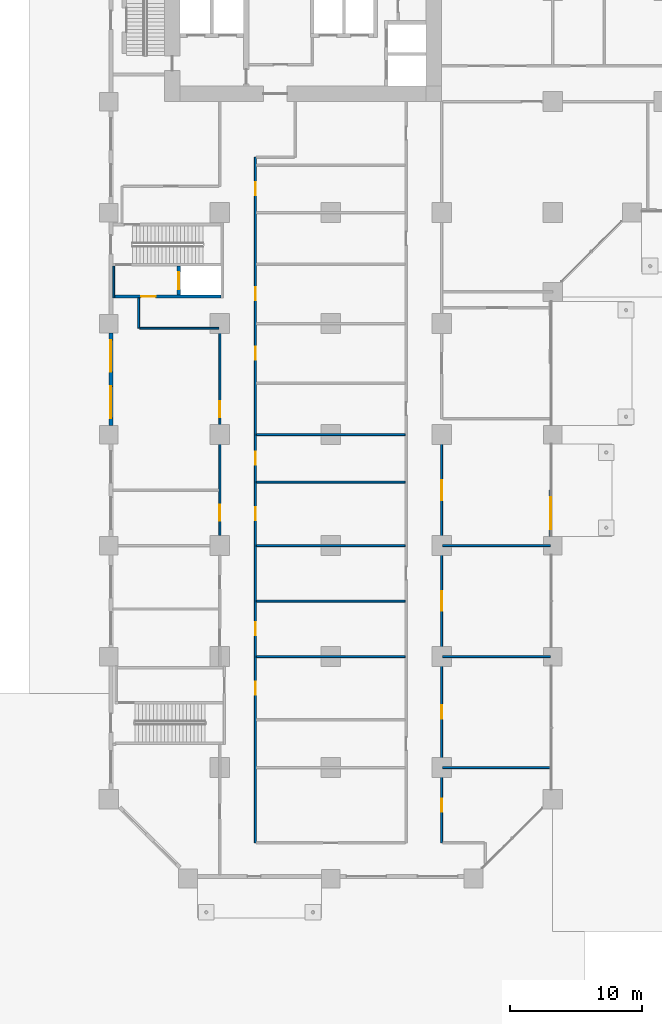
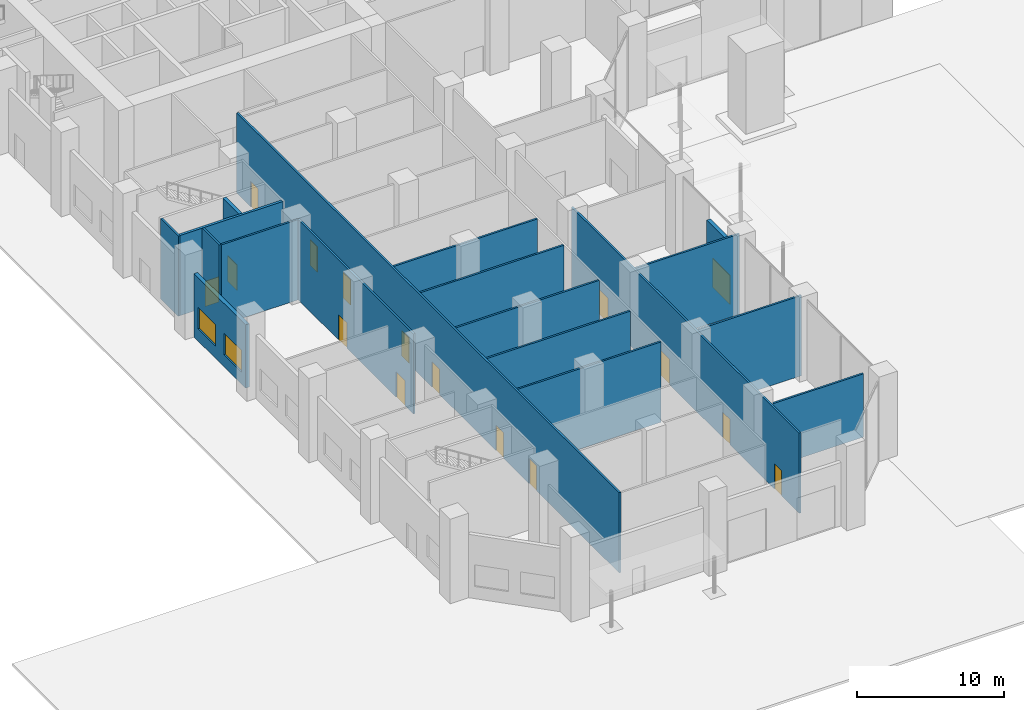
# One storey, part 15 of 32: 18 walls, 16 doors, 2 windows, 18 openings.
"""IFC4 building model written with IfcOpenShell, lengths in metres."""

from ifc_helpers import new_model, si_unit, direction, frame, frame_2d, origin, place, context, subcontext, project, spatial, rectangle, extrude, material, layer, layer_set, type_object, element, fill, save


model = new_model("IFC4")

# Units and contexts
model_context = context("Model", 3, precision=1e-05, world=origin(), true_north=direction((0.0, 1.0)))
body_context = subcontext(model_context, "Body", "Model", "MODEL_VIEW")
ifc_project = project(units=[si_unit("LENGTHUNIT", "METRE"), si_unit("AREAUNIT", "SQUARE_METRE"), si_unit("VOLUMEUNIT", "CUBIC_METRE"), si_unit("PLANEANGLEUNIT", "RADIAN"), si_unit("MASSUNIT", "GRAM", prefix="KILO")], contexts=[model_context])

# Site, building, storey
site_placement = place(None, origin())
site = spatial("IfcSite", under=ifc_project, at=site_placement, CompositionType="ELEMENT")
building_placement = place(site_placement, origin())
building = spatial("IfcBuilding", under=site, at=building_placement, Name="Kawkab Arch Medical Tower", CompositionType="ELEMENT")
storey_placement = place(building_placement, origin())
storey = spatial("IfcBuildingStorey", under=building, at=storey_placement, Name="L01", CompositionType="ELEMENT", Elevation=0.0)

# Wall, opening, door
ifc_material_1 = material(Name="Concrete C60/75", Category="concrete")
ifc_layer_1 = layer(ifc_material_1, 0.25)
ifc_layer_set_1 = layer_set([ifc_layer_1], Name="Concrete C60/75")
wall_type_1 = type_object("IfcWallType", Name="Core shear wall 250 C60/75", PredefinedType="SHEAR", material=ifc_layer_set_1)
wall_1_placement = place(storey_placement, frame((5.300048828125, -39.85009765625, 0.0), z_axis=(0.0, 0.0, 1.0), x_axis=(0.0, 1.0, 0.0)))
wall_1 = element("IfcWall", 1, at=wall_1_placement, inside=storey, type_object=wall_type_1, Name="L01 core shear wall", PredefinedType="SHEAR", context=body_context, shape_type="SweptSolid", body=[
    extrude(rectangle(XDim=2.2001953125, YDim=0.25, at=frame_2d((1.10009765625, 0.0))), origin(), (0.0, 0.0, 1.0), 6.64990234375),
])
opening_1_placement = place(wall_1_placement, frame((0.449951171875, 0.0, 0.0)))
opening_1 = element("IfcOpeningElement", 2, at=opening_1_placement, cuts=wall_1, Name="Opening LD2", PredefinedType="OPENING", context=body_context, shape_type="SweptSolid", body=[
    extrude(rectangle(XDim=1.300048828125, YDim=2.10009765625, at=frame_2d((0.64990234375, 1.050048828125))), frame((0.0, 0.135009765625, 0.0), z_axis=(0.0, -1.0, 0.0), x_axis=(1.0, 0.0, 0.0)), (0.0, 0.0, 1.0), 0.27001953125),
])
ifc_material_2 = material(Name="Stainless steel lift door leaf", Category="steel")
door_type_1 = type_object("IfcDoorType", Name="Lift landing door 1300", OperationType="DOUBLE_DOOR_SLIDING", PredefinedType="DOOR", material=ifc_material_2)
door_1_placement = place(opening_1_placement, origin())
door_1 = element("IfcDoor", 3, at=door_1_placement, inside=storey, type_object=door_type_1, Name="L01 Lift landing door SV2", OperationType="DOUBLE_DOOR_SLIDING", OverallHeight=2.10009765625, OverallWidth=1.300048828125, PredefinedType="DOOR", context=body_context, shape_type="SweptSolid", body=[
    extrude(rectangle(XDim=1.300048828125, YDim=2.10009765625, at=frame_2d((0.64990234375, 1.050048828125))), frame((0.0, 0.02490234375, 0.0), z_axis=(0.0, -1.0, 0.0), x_axis=(1.0, 0.0, 0.0)), (0.0, 0.0, 1.0), 0.050048828125),
])
fill(opening_1, door_1)

# Walls
ifc_material_3 = material(Name="Gypsum board partition on steel studs, mineral wool", Category="steel")
ifc_layer_2 = layer(ifc_material_3, 0.14990234375)
ifc_layer_set_2 = layer_set([ifc_layer_2], Name="Gypsum board partition on steel studs, mineral wool")
wall_type_2 = type_object("IfcWallType", Name="Partition 150", PredefinedType="PARTITIONING", material=ifc_layer_set_2)
wall_2_placement = place(storey_placement, frame((25.27490234375, -75.60009765625, 0.0), z_axis=(0.0, 0.0, 1.0), x_axis=(1.0, 0.0, 0.0)))
element("IfcWall", 4, at=wall_2_placement, inside=storey, type_object=wall_type_2, Name="Partition 150 w004", PredefinedType="PARTITIONING", context=body_context, shape_type="SweptSolid", body=[
    extrude(rectangle(XDim=8.14501953125, YDim=0.14990234375, at=frame_2d((4.072509765625, 0.0))), origin(), (0.0, 0.0, 1.0), 5.25),
])
wall_3_placement = place(storey_placement, frame((11.175048828125, -67.199951171875, 0.0), z_axis=(0.0, 0.0, 1.0), x_axis=(1.0, 0.0, 0.0)))
element("IfcWall", 5, at=wall_3_placement, inside=storey, type_object=wall_type_2, Name="Partition 150 w007", PredefinedType="PARTITIONING", context=body_context, shape_type="SweptSolid", body=[
    extrude(rectangle(XDim=11.25, YDim=0.14990234375, at=frame_2d((5.625, 0.0))), origin(), (0.0, 0.0, 1.0), 6.64990234375),
])
wall_4_placement = place(storey_placement, frame((25.27490234375, -67.199951171875, 0.0), z_axis=(0.0, 0.0, 1.0), x_axis=(1.0, 0.0, 0.0)))
element("IfcWall", 6, at=wall_4_placement, inside=storey, type_object=wall_type_2, Name="Partition 150 w008", PredefinedType="PARTITIONING", context=body_context, shape_type="SweptSolid", body=[
    extrude(rectangle(XDim=8.14501953125, YDim=0.14990234375, at=frame_2d((4.072509765625, 0.0))), origin(), (0.0, 0.0, 1.0), 6.64990234375),
])
for number, where, z_axis, x_axis, name in (
    (7, (11.175048828125, -63.0, 0.0), (0.0, 0.0, 1.0), (1.0, 0.0, 0.0), "Partition 150 w010"),
    (8, (11.175048828125, -58.800048828125, 0.0), (0.0, 0.0, 1.0), (1.0, 0.0, 0.0), "Partition 150 w012"),
):
    element("IfcWall", number, at=place(storey_placement, frame(where, z_axis=z_axis, x_axis=x_axis)), inside=storey, type_object=wall_type_2, Name=name, PredefinedType="PARTITIONING", context=body_context, shape_type="SweptSolid", body=[
        extrude(rectangle(XDim=11.25, YDim=0.14990234375, at=frame_2d((5.625, 0.0))), origin(), (0.0, 0.0, 1.0), 6.64990234375),
    ])
wall_5_placement = place(storey_placement, frame((25.27490234375, -58.800048828125, 0.0), z_axis=(0.0, 0.0, 1.0), x_axis=(1.0, 0.0, 0.0)))
element("IfcWall", 9, at=wall_5_placement, inside=storey, type_object=wall_type_2, Name="Partition 150 w013", PredefinedType="PARTITIONING", context=body_context, shape_type="SweptSolid", body=[
    extrude(rectangle(XDim=8.14501953125, YDim=0.14990234375, at=frame_2d((4.072509765625, 0.0))), origin(), (0.0, 0.0, 1.0), 6.64990234375),
])
for number, where, z_axis, x_axis, name in (
    (10, (11.175048828125, -54.0, 0.0), (0.0, 0.0, 1.0), (1.0, 0.0, 0.0), "Partition 150 w015"),
    (11, (11.175048828125, -50.39990234375, 0.0), (0.0, 0.0, 1.0), (1.0, 0.0, 0.0), "Partition 150 w016"),
):
    element("IfcWall", number, at=place(storey_placement, frame(where, z_axis=z_axis, x_axis=x_axis)), inside=storey, type_object=wall_type_2, Name=name, PredefinedType="PARTITIONING", context=body_context, shape_type="SweptSolid", body=[
        extrude(rectangle(XDim=11.25, YDim=0.14990234375, at=frame_2d((5.625, 0.0))), origin(), (0.0, 0.0, 1.0), 6.64990234375),
    ])
wall_6_placement = place(storey_placement, frame((2.327880859375, -42.35009765625, 0.0), z_axis=(0.0, 0.0, 1.0), x_axis=(1.0, 0.0, 0.0)))
element("IfcWall", 12, at=wall_6_placement, inside=storey, type_object=wall_type_2, Name="Partition 150 w019", PredefinedType="PARTITIONING", context=body_context, shape_type="SweptSolid", body=[
    extrude(rectangle(XDim=5.9970703125, YDim=0.14990234375, at=frame_2d((2.99853515625, 0.0))), origin(), (0.0, 0.0, 1.0), 6.64990234375),
])
wall_7_placement = place(storey_placement, frame((2.25, -42.346923828125, 0.0), z_axis=(0.0, 0.0, 1.0), x_axis=(0.0, 1.0, 0.0)))
element("IfcWall", 13, at=wall_7_placement, inside=storey, type_object=wall_type_2, Name="Partition 150 w040", PredefinedType="PARTITIONING", context=body_context, shape_type="SweptSolid", body=[
    extrude(rectangle(XDim=2.296875, YDim=0.14990234375, at=frame_2d((1.1484375, 0.0))), origin(), (0.0, 0.0, 1.0), 6.64990234375),
])

# Wall, openings, doors
wall_8_placement = place(storey_placement, frame((8.39990234375, -58.050048828125, 0.0), z_axis=(0.0, 0.0, 1.0), x_axis=(0.0, 1.0, 0.0)))
wall_8 = element("IfcWall", 14, at=wall_8_placement, inside=storey, type_object=wall_type_2, Name="Partition 150 w043", PredefinedType="PARTITIONING", context=body_context, shape_type="SweptSolid", body=[
    extrude(rectangle(XDim=15.699951171875, YDim=0.14990234375, at=frame_2d((7.85009765625, 0.0))), origin(), (0.0, 0.0, 1.0), 6.64990234375),
])
opening_2_placement = place(wall_8_placement, frame((8.97509765625, 0.0, 0.0)))
opening_2 = element("IfcOpeningElement", 15, at=opening_2_placement, cuts=wall_8, Name="Opening P01-046", PredefinedType="OPENING", context=body_context, shape_type="SweptSolid", body=[
    extrude(rectangle(XDim=1.199951171875, YDim=2.10009765625, at=frame_2d((0.60009765625, 1.050048828125))), frame((0.0, 0.0849609375, 0.0), z_axis=(0.0, -1.0, 0.0), x_axis=(1.0, 0.0, 0.0)), (0.0, 0.0, 1.0), 0.169921875),
])
opening_3_placement = place(wall_8_placement, frame((1.125, 0.0, 0.0)))
opening_3 = element("IfcOpeningElement", 16, at=opening_3_placement, cuts=wall_8, Name="Opening P01-047", PredefinedType="OPENING", context=body_context, shape_type="SweptSolid", body=[
    extrude(rectangle(XDim=1.199951171875, YDim=2.10009765625, at=frame_2d((0.60009765625, 1.050048828125))), frame((0.0, 0.0849609375, 0.0), z_axis=(0.0, -1.0, 0.0), x_axis=(1.0, 0.0, 0.0)), (0.0, 0.0, 1.0), 0.169921875),
])
ifc_material_4 = material(Name="Hollow metal door leaf")
door_type_2 = type_object("IfcDoorType", Name="Single door 1200x2100 FD30S", OperationType="NOTDEFINED", PredefinedType="DOOR", material=ifc_material_4)
door_2_placement = place(opening_2_placement, origin())
door_2 = element("IfcDoor", 17, at=door_2_placement, inside=storey, type_object=door_type_2, Name="Door P01-046", OperationType="SINGLE_SWING_RIGHT", OverallHeight=2.10009765625, OverallWidth=1.199951171875, PredefinedType="DOOR", context=body_context, shape_type="SweptSolid", body=[
    extrude(rectangle(XDim=1.199951171875, YDim=2.10009765625, at=frame_2d((0.60009765625, 1.050048828125))), frame((0.0, 0.02490234375, 0.0), z_axis=(0.0, -1.0, 0.0), x_axis=(1.0, 0.0, 0.0)), (0.0, 0.0, 1.0), 0.050048828125),
])
fill(opening_2, door_2)
door_3_placement = place(opening_3_placement, origin())
door_3 = element("IfcDoor", 18, at=door_3_placement, inside=storey, type_object=door_type_2, Name="Door P01-047", OperationType="SINGLE_SWING_LEFT", OverallHeight=2.10009765625, OverallWidth=1.199951171875, PredefinedType="DOOR", context=body_context, shape_type="SweptSolid", body=[
    extrude(rectangle(XDim=1.199951171875, YDim=2.10009765625, at=frame_2d((0.60009765625, 1.050048828125))), frame((0.0, 0.02490234375, 0.0), z_axis=(0.0, -1.0, 0.0), x_axis=(1.0, 0.0, 0.0)), (0.0, 0.0, 1.0), 0.050048828125),
])
fill(opening_3, door_3)

wall_9_placement = place(storey_placement, frame((11.10009765625, -81.300048828125, 0.0), z_axis=(0.0, 0.0, 1.0), x_axis=(0.0, 1.0, 0.0)))
wall_9 = element("IfcWall", 19, at=wall_9_placement, inside=storey, type_object=wall_type_2, Name="Partition 150 w045", PredefinedType="PARTITIONING", context=body_context, shape_type="SweptSolid", body=[
    extrude(rectangle(XDim=51.900146484375, YDim=0.14990234375, at=frame_2d((25.9501953125, 0.0))), origin(), (0.0, 0.0, 1.0), 6.64990234375),
])
opening_4_placement = place(wall_9_placement, frame((49.0, 0.0, 0.0)))
opening_4 = element("IfcOpeningElement", 20, at=opening_4_placement, cuts=wall_9, Name="Opening P01-027", PredefinedType="OPENING", context=body_context, shape_type="SweptSolid", body=[
    extrude(rectangle(XDim=1.0, YDim=2.10009765625, at=frame_2d((0.5, 1.050048828125))), frame((0.0, 0.0849609375, 0.0), z_axis=(0.0, -1.0, 0.0), x_axis=(1.0, 0.0, 0.0)), (0.0, 0.0, 1.0), 0.169921875),
])
opening_5_placement = place(wall_9_placement, frame((41.050048828125, 0.0, 0.0)))
opening_5 = element("IfcOpeningElement", 21, at=opening_5_placement, cuts=wall_9, Name="Opening P01-029", PredefinedType="OPENING", context=body_context, shape_type="SweptSolid", body=[
    extrude(rectangle(XDim=1.0, YDim=2.10009765625, at=frame_2d((0.5, 1.050048828125))), frame((0.0, 0.0849609375, 0.0), z_axis=(0.0, -1.0, 0.0), x_axis=(1.0, 0.0, 0.0)), (0.0, 0.0, 1.0), 0.169921875),
])
opening_6_placement = place(wall_9_placement, frame((36.550048828125, 0.0, 0.0)))
opening_6 = element("IfcOpeningElement", 22, at=opening_6_placement, cuts=wall_9, Name="Opening P01-030", PredefinedType="OPENING", context=body_context, shape_type="SweptSolid", body=[
    extrude(rectangle(XDim=1.0, YDim=2.10009765625, at=frame_2d((0.5, 1.050048828125))), frame((0.0, 0.0849609375, 0.0), z_axis=(0.0, -1.0, 0.0), x_axis=(1.0, 0.0, 0.0)), (0.0, 0.0, 1.0), 0.169921875),
])
opening_7_placement = place(wall_9_placement, frame((28.60009765625, 0.0, 0.0)))
opening_7 = element("IfcOpeningElement", 23, at=opening_7_placement, cuts=wall_9, Name="Opening P01-032", PredefinedType="OPENING", context=body_context, shape_type="SweptSolid", body=[
    extrude(rectangle(XDim=1.0, YDim=2.10009765625, at=frame_2d((0.5, 1.050048828125))), frame((0.0, 0.0849609375, 0.0), z_axis=(0.0, -1.0, 0.0), x_axis=(1.0, 0.0, 0.0)), (0.0, 0.0, 1.0), 0.169921875),
])
opening_8_placement = place(wall_9_placement, frame((24.39990234375, 0.0, 0.0)))
opening_8 = element("IfcOpeningElement", 24, at=opening_8_placement, cuts=wall_9, Name="Opening P01-033", PredefinedType="OPENING", context=body_context, shape_type="SweptSolid", body=[
    extrude(rectangle(XDim=1.0, YDim=2.10009765625, at=frame_2d((0.5, 1.050048828125))), frame((0.0, 0.0849609375, 0.0), z_axis=(0.0, -1.0, 0.0), x_axis=(1.0, 0.0, 0.0)), (0.0, 0.0, 1.0), 0.169921875),
])
opening_9_placement = place(wall_9_placement, frame((15.699951171875, 0.0, 0.0)))
opening_9 = element("IfcOpeningElement", 25, at=opening_9_placement, cuts=wall_9, Name="Opening P01-035", PredefinedType="OPENING", context=body_context, shape_type="SweptSolid", body=[
    extrude(rectangle(XDim=1.0, YDim=2.10009765625, at=frame_2d((0.5, 1.050048828125))), frame((0.0, 0.0849609375, 0.0), z_axis=(0.0, -1.0, 0.0), x_axis=(1.0, 0.0, 0.0)), (0.0, 0.0, 1.0), 0.169921875),
])
opening_10_placement = place(wall_9_placement, frame((11.199951171875, 0.0, 0.0)))
opening_10 = element("IfcOpeningElement", 26, at=opening_10_placement, cuts=wall_9, Name="Opening P01-036", PredefinedType="OPENING", context=body_context, shape_type="SweptSolid", body=[
    extrude(rectangle(XDim=1.0, YDim=2.10009765625, at=frame_2d((0.5, 1.050048828125))), frame((0.0, 0.0849609375, 0.0), z_axis=(0.0, -1.0, 0.0), x_axis=(1.0, 0.0, 0.0)), (0.0, 0.0, 1.0), 0.169921875),
])
ifc_material_5 = material(Name="Hollow metal door leaf")
door_type_3 = type_object("IfcDoorType", Name="Single door 1000x2100 FD30S", OperationType="NOTDEFINED", PredefinedType="DOOR", material=ifc_material_5)
door_4_placement = place(opening_4_placement, origin())
door_4 = element("IfcDoor", 27, at=door_4_placement, inside=storey, type_object=door_type_3, Name="Door P01-027", OperationType="SINGLE_SWING_LEFT", OverallHeight=2.10009765625, OverallWidth=1.0, PredefinedType="DOOR", context=body_context, shape_type="SweptSolid", body=[
    extrude(rectangle(XDim=1.0, YDim=2.10009765625, at=frame_2d((0.5, 1.050048828125))), frame((0.0, 0.02490234375, 0.0), z_axis=(0.0, -1.0, 0.0), x_axis=(1.0, 0.0, 0.0)), (0.0, 0.0, 1.0), 0.050048828125),
])
fill(opening_4, door_4)
door_5_placement = place(opening_5_placement, origin())
door_5 = element("IfcDoor", 28, at=door_5_placement, inside=storey, type_object=door_type_3, Name="Door P01-029", OperationType="SINGLE_SWING_LEFT", OverallHeight=2.10009765625, OverallWidth=1.0, PredefinedType="DOOR", context=body_context, shape_type="SweptSolid", body=[
    extrude(rectangle(XDim=1.0, YDim=2.10009765625, at=frame_2d((0.5, 1.050048828125))), frame((0.0, 0.02490234375, 0.0), z_axis=(0.0, -1.0, 0.0), x_axis=(1.0, 0.0, 0.0)), (0.0, 0.0, 1.0), 0.050048828125),
])
fill(opening_5, door_5)
door_6_placement = place(opening_6_placement, origin())
door_6 = element("IfcDoor", 29, at=door_6_placement, inside=storey, type_object=door_type_3, Name="Door P01-030", OperationType="SINGLE_SWING_LEFT", OverallHeight=2.10009765625, OverallWidth=1.0, PredefinedType="DOOR", context=body_context, shape_type="SweptSolid", body=[
    extrude(rectangle(XDim=1.0, YDim=2.10009765625, at=frame_2d((0.5, 1.050048828125))), frame((0.0, 0.02490234375, 0.0), z_axis=(0.0, -1.0, 0.0), x_axis=(1.0, 0.0, 0.0)), (0.0, 0.0, 1.0), 0.050048828125),
])
fill(opening_6, door_6)
door_7_placement = place(opening_7_placement, origin())
door_7 = element("IfcDoor", 30, at=door_7_placement, inside=storey, type_object=door_type_3, Name="Door P01-032", OperationType="SINGLE_SWING_LEFT", OverallHeight=2.10009765625, OverallWidth=1.0, PredefinedType="DOOR", context=body_context, shape_type="SweptSolid", body=[
    extrude(rectangle(XDim=1.0, YDim=2.10009765625, at=frame_2d((0.5, 1.050048828125))), frame((0.0, 0.02490234375, 0.0), z_axis=(0.0, -1.0, 0.0), x_axis=(1.0, 0.0, 0.0)), (0.0, 0.0, 1.0), 0.050048828125),
])
fill(opening_7, door_7)
door_8_placement = place(opening_8_placement, origin())
door_8 = element("IfcDoor", 31, at=door_8_placement, inside=storey, type_object=door_type_3, Name="Door P01-033", OperationType="SINGLE_SWING_RIGHT", OverallHeight=2.10009765625, OverallWidth=1.0, PredefinedType="DOOR", context=body_context, shape_type="SweptSolid", body=[
    extrude(rectangle(XDim=1.0, YDim=2.10009765625, at=frame_2d((0.5, 1.050048828125))), frame((0.0, 0.02490234375, 0.0), z_axis=(0.0, -1.0, 0.0), x_axis=(1.0, 0.0, 0.0)), (0.0, 0.0, 1.0), 0.050048828125),
])
fill(opening_8, door_8)
door_9_placement = place(opening_9_placement, origin())
door_9 = element("IfcDoor", 32, at=door_9_placement, inside=storey, type_object=door_type_3, Name="Door P01-035", OperationType="SINGLE_SWING_RIGHT", OverallHeight=2.10009765625, OverallWidth=1.0, PredefinedType="DOOR", context=body_context, shape_type="SweptSolid", body=[
    extrude(rectangle(XDim=1.0, YDim=2.10009765625, at=frame_2d((0.5, 1.050048828125))), frame((0.0, 0.02490234375, 0.0), z_axis=(0.0, -1.0, 0.0), x_axis=(1.0, 0.0, 0.0)), (0.0, 0.0, 1.0), 0.050048828125),
])
fill(opening_9, door_9)
door_10_placement = place(opening_10_placement, origin())
door_10 = element("IfcDoor", 33, at=door_10_placement, inside=storey, type_object=door_type_3, Name="Door P01-036", OperationType="SINGLE_SWING_RIGHT", OverallHeight=2.10009765625, OverallWidth=1.0, PredefinedType="DOOR", context=body_context, shape_type="SweptSolid", body=[
    extrude(rectangle(XDim=1.0, YDim=2.10009765625, at=frame_2d((0.5, 1.050048828125))), frame((0.0, 0.02490234375, 0.0), z_axis=(0.0, -1.0, 0.0), x_axis=(1.0, 0.0, 0.0)), (0.0, 0.0, 1.0), 0.050048828125),
])
fill(opening_10, door_10)

wall_10_placement = place(storey_placement, frame((25.199951171875, -81.300048828125, 0.0), z_axis=(0.0, 0.0, 1.0), x_axis=(0.0, 1.0, 0.0)))
wall_10 = element("IfcWall", 34, at=wall_10_placement, inside=storey, type_object=wall_type_2, Name="Partition 150 w048", PredefinedType="PARTITIONING", context=body_context, shape_type="SweptSolid", body=[
    extrude(rectangle(XDim=30.899169921875, YDim=0.14990234375, at=frame_2d((15.44970703125, 0.0))), origin(), (0.0, 0.0, 1.0), 6.64990234375),
])
opening_11_placement = place(wall_10_placement, frame((25.949951171875, 0.0, 0.0)))
opening_11 = element("IfcOpeningElement", 35, at=opening_11_placement, cuts=wall_10, Name="Opening P01-004", PredefinedType="OPENING", context=body_context, shape_type="SweptSolid", body=[
    extrude(rectangle(XDim=1.5, YDim=2.10009765625, at=frame_2d((0.75, 1.050048828125))), frame((0.0, 0.0849609375, 0.0), z_axis=(0.0, -1.0, 0.0), x_axis=(1.0, 0.0, 0.0)), (0.0, 0.0, 1.0), 0.169921875),
])
opening_12_placement = place(wall_10_placement, frame((17.550048828125, 0.0, 0.0)))
opening_12 = element("IfcOpeningElement", 36, at=opening_12_placement, cuts=wall_10, Name="Opening P01-015", PredefinedType="OPENING", context=body_context, shape_type="SweptSolid", body=[
    extrude(rectangle(XDim=1.5, YDim=2.10009765625, at=frame_2d((0.75, 1.050048828125))), frame((0.0, 0.0849609375, 0.0), z_axis=(0.0, -1.0, 0.0), x_axis=(1.0, 0.0, 0.0)), (0.0, 0.0, 1.0), 0.169921875),
])
opening_13_placement = place(wall_10_placement, frame((9.39990234375, 0.0, 0.0)))
opening_13 = element("IfcOpeningElement", 37, at=opening_13_placement, cuts=wall_10, Name="Opening P01-039", PredefinedType="OPENING", context=body_context, shape_type="SweptSolid", body=[
    extrude(rectangle(XDim=1.0, YDim=2.10009765625, at=frame_2d((0.5, 1.050048828125))), frame((0.0, 0.0849609375, 0.0), z_axis=(0.0, -1.0, 0.0), x_axis=(1.0, 0.0, 0.0)), (0.0, 0.0, 1.0), 0.169921875),
])
opening_14_placement = place(wall_10_placement, frame((2.35009765625, 0.0, 0.0)))
opening_14 = element("IfcOpeningElement", 38, at=opening_14_placement, cuts=wall_10, Name="Opening P01-040", PredefinedType="OPENING", context=body_context, shape_type="SweptSolid", body=[
    extrude(rectangle(XDim=1.0, YDim=2.10009765625, at=frame_2d((0.5, 1.050048828125))), frame((0.0, 0.0849609375, 0.0), z_axis=(0.0, -1.0, 0.0), x_axis=(1.0, 0.0, 0.0)), (0.0, 0.0, 1.0), 0.169921875),
])
ifc_material_6 = material(Name="Hollow metal door leaf")
door_type_4 = type_object("IfcDoorType", Name="Double door 1500x2100 FD30S", OperationType="NOTDEFINED", PredefinedType="DOOR", material=ifc_material_6)
door_11_placement = place(opening_11_placement, origin())
door_11 = element("IfcDoor", 39, at=door_11_placement, inside=storey, type_object=door_type_4, Name="Door P01-004", OperationType="DOUBLE_DOOR_SINGLE_SWING", OverallHeight=2.10009765625, OverallWidth=1.5, PredefinedType="DOOR", context=body_context, shape_type="SweptSolid", body=[
    extrude(rectangle(XDim=1.5, YDim=2.10009765625, at=frame_2d((0.75, 1.050048828125))), frame((0.0, 0.02490234375, 0.0), z_axis=(0.0, -1.0, 0.0), x_axis=(1.0, 0.0, 0.0)), (0.0, 0.0, 1.0), 0.050048828125),
])
fill(opening_11, door_11)
door_12_placement = place(opening_12_placement, origin())
door_12 = element("IfcDoor", 40, at=door_12_placement, inside=storey, type_object=door_type_4, Name="Door P01-015", OperationType="DOUBLE_DOOR_SINGLE_SWING", OverallHeight=2.10009765625, OverallWidth=1.5, PredefinedType="DOOR", context=body_context, shape_type="SweptSolid", body=[
    extrude(rectangle(XDim=1.5, YDim=2.10009765625, at=frame_2d((0.75, 1.050048828125))), frame((0.0, 0.02490234375, 0.0), z_axis=(0.0, -1.0, 0.0), x_axis=(1.0, 0.0, 0.0)), (0.0, 0.0, 1.0), 0.050048828125),
])
fill(opening_12, door_12)
door_13_placement = place(opening_13_placement, origin())
door_13 = element("IfcDoor", 41, at=door_13_placement, inside=storey, type_object=door_type_3, Name="Door P01-039", OperationType="SINGLE_SWING_RIGHT", OverallHeight=2.10009765625, OverallWidth=1.0, PredefinedType="DOOR", context=body_context, shape_type="SweptSolid", body=[
    extrude(rectangle(XDim=1.0, YDim=2.10009765625, at=frame_2d((0.5, 1.050048828125))), frame((0.0, 0.02490234375, 0.0), z_axis=(0.0, -1.0, 0.0), x_axis=(1.0, 0.0, 0.0)), (0.0, 0.0, 1.0), 0.050048828125),
])
fill(opening_13, door_13)
door_14_placement = place(opening_14_placement, origin())
door_14 = element("IfcDoor", 42, at=door_14_placement, inside=storey, type_object=door_type_3, Name="Door P01-040", OperationType="SINGLE_SWING_RIGHT", OverallHeight=2.10009765625, OverallWidth=1.0, PredefinedType="DOOR", context=body_context, shape_type="SweptSolid", body=[
    extrude(rectangle(XDim=1.0, YDim=2.10009765625, at=frame_2d((0.5, 1.050048828125))), frame((0.0, 0.02490234375, 0.0), z_axis=(0.0, -1.0, 0.0), x_axis=(1.0, 0.0, 0.0)), (0.0, 0.0, 1.0), 0.050048828125),
])
fill(opening_14, door_14)

# Wall, opening, door
ifc_material_7 = material(Name="Bronze clad insulated wall panel")
ifc_layer_3 = layer(ifc_material_7, 0.300048828125)
ifc_layer_set_3 = layer_set([ifc_layer_3], Name="Bronze clad insulated wall panel")
wall_type_3 = type_object("IfcWallType", Name="Podium external wall 300", PredefinedType="SOLIDWALL", material=ifc_layer_set_3)
wall_11_placement = place(storey_placement, frame((33.449951171875, -58.10009765625, 0.0), z_axis=(0.0, 0.0, 1.0), x_axis=(0.0, 1.0, 0.0)))
wall_11 = element("IfcWall", 43, at=wall_11_placement, inside=storey, type_object=wall_type_3, Name="Entrance wall L01 R02.3.1", PredefinedType="SOLIDWALL", context=body_context, shape_type="SweptSolid", body=[
    extrude(rectangle(XDim=3.5, YDim=0.300048828125, at=frame_2d((1.75, 0.0))), origin(), (0.0, 0.0, 1.0), 5.25),
])
opening_15_placement = place(wall_11_placement, frame((0.550048828125, 0.0, 0.0)))
opening_15 = element("IfcOpeningElement", 44, at=opening_15_placement, cuts=wall_11, Name="Opening P01-501", PredefinedType="OPENING", context=body_context, shape_type="SweptSolid", body=[
    extrude(rectangle(XDim=2.39990234375, YDim=2.39990234375, at=frame_2d((1.199951171875, 1.199951171875))), frame((0.0, 0.159912109375, 0.0), z_axis=(0.0, -1.0, 0.0), x_axis=(1.0, 0.0, 0.0)), (0.0, 0.0, 1.0), 0.320068359375),
])
ifc_material_8 = material(Name="Bronze anodised aluminium door with tinted glass", Category="aluminium")
door_type_5 = type_object("IfcDoorType", Name="Automatic sliding entrance door 2400 x 2400", OperationType="DOUBLE_DOOR_SLIDING", PredefinedType="DOOR", material=ifc_material_8)
door_15_placement = place(opening_15_placement, origin())
door_15 = element("IfcDoor", 45, at=door_15_placement, inside=storey, type_object=door_type_5, Name="Emergency department walk-in entrance", OperationType="DOUBLE_DOOR_SLIDING", OverallHeight=2.39990234375, OverallWidth=2.39990234375, PredefinedType="DOOR", context=body_context, shape_type="SweptSolid", body=[
    extrude(rectangle(XDim=2.39990234375, YDim=2.39990234375, at=frame_2d((1.199951171875, 1.199951171875))), frame((0.0, 0.02490234375, 0.0), z_axis=(0.0, -1.0, 0.0), x_axis=(1.0, 0.0, 0.0)), (0.0, 0.0, 1.0), 0.050048828125),
])
fill(opening_15, door_15)

# Wall, openings, windows
wall_12_placement = place(storey_placement, frame((0.14990234375, -42.699951171875, 0.0), z_axis=(0.0, 0.0, 1.0), x_axis=(0.0, -1.0, 0.0)))
wall_12 = element("IfcWall", 46, at=wall_12_placement, inside=storey, type_object=wall_type_3, Name="External wall L01 R11.5", PredefinedType="SOLIDWALL", context=body_context, shape_type="SweptSolid", body=[
    extrude(rectangle(XDim=7.0, YDim=0.300048828125, at=frame_2d((3.5, 0.0))), origin(), (0.0, 0.0, 1.0), 5.25),
])
opening_16_placement = place(wall_12_placement, frame((0.550048828125, 0.0, 1.0)))
opening_16 = element("IfcOpeningElement", 47, at=opening_16_placement, cuts=wall_12, Name="Opening PWN240-18-S10", PredefinedType="OPENING", context=body_context, shape_type="SweptSolid", body=[
    extrude(rectangle(XDim=2.39990234375, YDim=1.800048828125, at=frame_2d((1.199951171875, 0.89990234375))), frame((0.0, 0.159912109375, 0.0), z_axis=(0.0, -1.0, 0.0), x_axis=(1.0, 0.0, 0.0)), (0.0, 0.0, 1.0), 0.320068359375),
])
opening_17_placement = place(wall_12_placement, frame((4.050048828125, 0.0, 1.0)))
opening_17 = element("IfcOpeningElement", 48, at=opening_17_placement, cuts=wall_12, Name="Opening PWN240-18-S10", PredefinedType="OPENING", context=body_context, shape_type="SweptSolid", body=[
    extrude(rectangle(XDim=2.39990234375, YDim=1.800048828125, at=frame_2d((1.199951171875, 0.89990234375))), frame((0.0, 0.159912109375, 0.0), z_axis=(0.0, -1.0, 0.0), x_axis=(1.0, 0.0, 0.0)), (0.0, 0.0, 1.0), 0.320068359375),
])
ifc_material_9 = material(Name="Bronze anodised aluminium louvred window", Category="aluminium")
window_type = type_object("IfcWindowType", Name="Podium window 2400 x 1800 sill 1000", PartitioningType="DOUBLE_PANEL_VERTICAL", PredefinedType="WINDOW", material=ifc_material_9)
window_1_placement = place(opening_16_placement, origin())
window_1 = element("IfcWindow", 49, at=window_1_placement, inside=storey, type_object=window_type, Name="Window L01 R11.5.1", OverallHeight=1.800048828125, OverallWidth=2.39990234375, PartitioningType="SINGLE_PANEL", PredefinedType="WINDOW", context=body_context, shape_type="SweptSolid", body=[
    extrude(rectangle(XDim=2.39990234375, YDim=1.800048828125, at=frame_2d((1.199951171875, 0.89990234375))), frame((0.0, 0.030029296875, 0.0), z_axis=(0.0, -1.0, 0.0), x_axis=(1.0, 0.0, 0.0)), (0.0, 0.0, 1.0), 0.06005859375),
])
fill(opening_16, window_1)
window_2_placement = place(opening_17_placement, origin())
window_2 = element("IfcWindow", 50, at=window_2_placement, inside=storey, type_object=window_type, Name="Window L01 R11.5.2", OverallHeight=1.800048828125, OverallWidth=2.39990234375, PartitioningType="SINGLE_PANEL", PredefinedType="WINDOW", context=body_context, shape_type="SweptSolid", body=[
    extrude(rectangle(XDim=2.39990234375, YDim=1.800048828125, at=frame_2d((1.199951171875, 0.89990234375))), frame((0.0, 0.030029296875, 0.0), z_axis=(0.0, -1.0, 0.0), x_axis=(1.0, 0.0, 0.0)), (0.0, 0.0, 1.0), 0.06005859375),
])
fill(opening_17, window_2)

# Wall
ifc_material_10 = material(Name="Concrete C50/60", Category="concrete")
ifc_layer_4 = layer(ifc_material_10, 0.14990234375)
ifc_layer_set_4 = layer_set([ifc_layer_4], Name="Concrete C50/60")
wall_type_4 = type_object("IfcWallType", Name="Stair enclosure wall 150 C50/60", PredefinedType="SHEAR", material=ifc_layer_set_4)
wall_13_placement = place(storey_placement, frame((0.375, -40.050048828125, 0.0), z_axis=(0.0, 0.0, 1.0), x_axis=(0.0, 1.0, 0.0)))
element("IfcWall", 51, at=wall_13_placement, inside=storey, type_object=wall_type_4, Name="L01 stair enclosure wall", PredefinedType="SHEAR", context=body_context, shape_type="SweptSolid", body=[
    extrude(rectangle(XDim=2.400146484375, YDim=0.14990234375, at=frame_2d((1.2001953125, 0.0))), origin(), (0.0, 0.0, 1.0), 6.64990234375),
])

# Wall, opening, door
ifc_material_11 = material(Name="Concrete C50/60", Category="concrete")
ifc_layer_5 = layer(ifc_material_11, 0.199951171875)
ifc_layer_set_5 = layer_set([ifc_layer_5], Name="Concrete C50/60")
wall_type_5 = type_object("IfcWallType", Name="Stair enclosure wall 200 C50/60", PredefinedType="SHEAR", material=ifc_layer_set_5)
wall_14_placement = place(storey_placement, frame((0.449951171875, -39.949951171875, 0.0), z_axis=(0.0, 0.0, 1.0), x_axis=(1.0, 0.0, 0.0)))
wall_14 = element("IfcWall", 52, at=wall_14_placement, inside=storey, type_object=wall_type_5, Name="L01 stair enclosure wall", PredefinedType="SHEAR", context=body_context, shape_type="SweptSolid", body=[
    extrude(rectangle(XDim=8.050048828125, YDim=0.199951171875, at=frame_2d((4.02490234375, 0.0))), origin(), (0.0, 0.0, 1.0), 6.64990234375),
])
opening_18_placement = place(wall_14_placement, frame((2.0, 0.0, 0.0)))
opening_18 = element("IfcOpeningElement", 53, at=opening_18_placement, cuts=wall_14, Name="Opening FD", PredefinedType="OPENING", context=body_context, shape_type="SweptSolid", body=[
    extrude(rectangle(XDim=1.10009765625, YDim=2.10009765625, at=frame_2d((0.550048828125, 1.050048828125))), frame((0.0, 0.10986328125, 0.0), z_axis=(0.0, -1.0, 0.0), x_axis=(1.0, 0.0, 0.0)), (0.0, 0.0, 1.0), 0.219970703125),
])
ifc_material_12 = material(Name="Hollow metal fire door leaf")
door_type_6 = type_object("IfcDoorType", Name="Firefighting lobby door 1100", OperationType="SINGLE_SWING_LEFT", PredefinedType="DOOR", material=ifc_material_12)
door_16_placement = place(opening_18_placement, origin())
door_16 = element("IfcDoor", 54, at=door_16_placement, inside=storey, type_object=door_type_6, Name="L01 Service lift lobby door SV2", OperationType="SINGLE_SWING_LEFT", OverallHeight=2.10009765625, OverallWidth=1.10009765625, PredefinedType="DOOR", context=body_context, shape_type="SweptSolid", body=[
    extrude(rectangle(XDim=1.10009765625, YDim=2.10009765625, at=frame_2d((0.550048828125, 1.050048828125))), frame((0.0, 0.02490234375, 0.0), z_axis=(0.0, -1.0, 0.0), x_axis=(1.0, 0.0, 0.0)), (0.0, 0.0, 1.0), 0.050048828125),
])
fill(opening_18, door_16)

save(model, "model.ifc")
